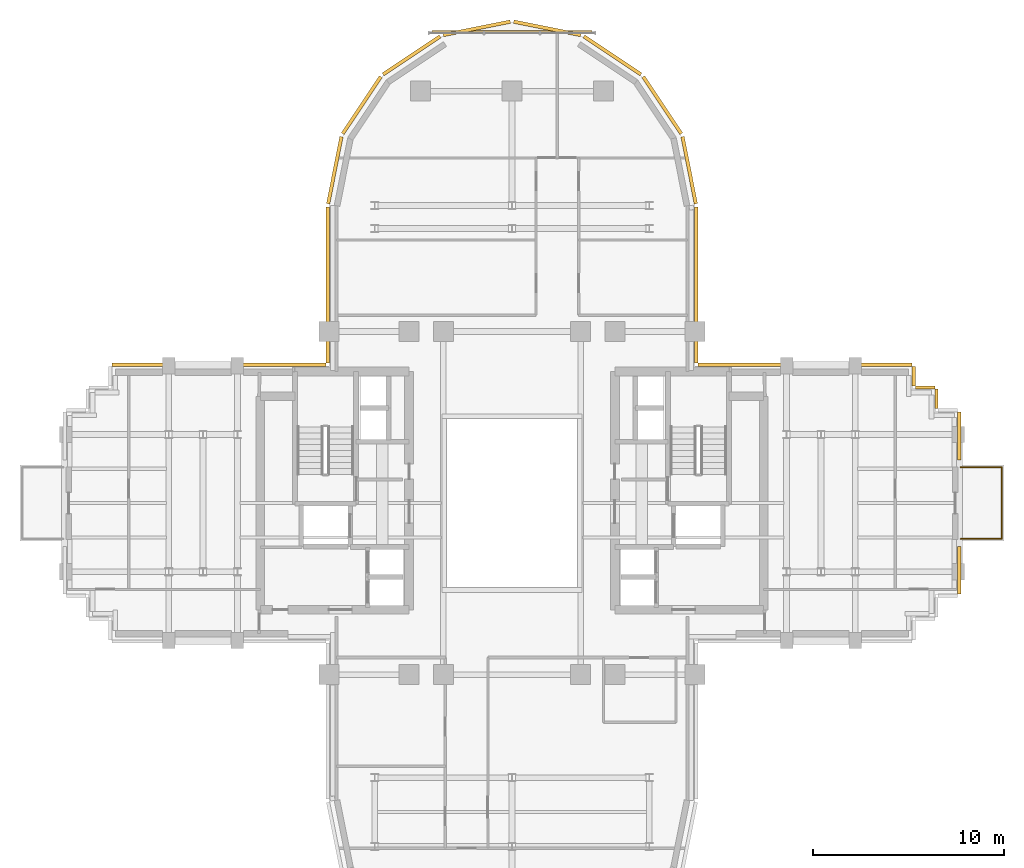
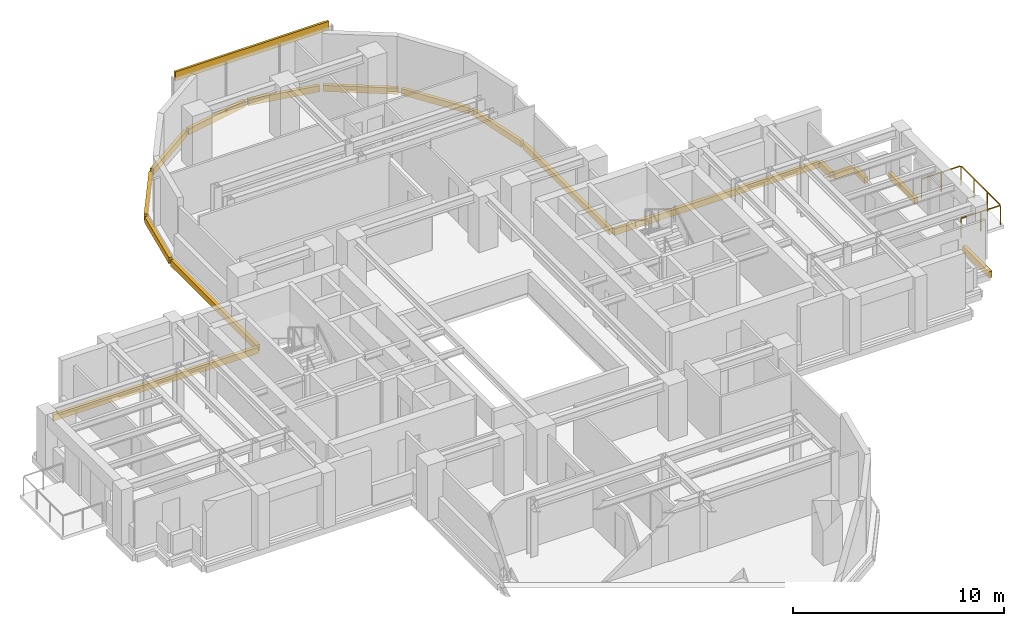
# One storey, part 13 of 13: 18 coverings, 1 railing.
"""IFC4 building model written with IfcOpenShell, lengths in metres."""

from ifc_helpers import new_model, si_unit, direction, frame, origin, origin_2d, place, context, subcontext, project, spatial, rectangle, extrude, source, transform, mapped, material, layer, layer_set, type_object, element, save


model = new_model("IFC4")

# Units and contexts
model_context = context("Model", 3, precision=1e-05, world=origin(), true_north=direction((0.0, 1.0)))
body_context = subcontext(model_context, "Body", "Model", "MODEL_VIEW")
ifc_project = project(units=[si_unit("LENGTHUNIT", "METRE"), si_unit("AREAUNIT", "SQUARE_METRE"), si_unit("VOLUMEUNIT", "CUBIC_METRE"), si_unit("PLANEANGLEUNIT", "RADIAN"), si_unit("MASSUNIT", "GRAM", prefix="KILO")], contexts=[model_context])

# Site, building, storey
site_placement = place(None, origin())
site = spatial("IfcSite", under=ifc_project, at=site_placement, CompositionType="ELEMENT")
building_placement = place(site_placement, origin())
building = spatial("IfcBuilding", under=site, at=building_placement, Name="Keilestroom Media Tower", CompositionType="ELEMENT")
storey_placement = place(building_placement, frame((0.0, 0.0, 107.39990234375)))
storey = spatial("IfcBuildingStorey", under=building, at=storey_placement, Name="L28", CompositionType="ELEMENT", Elevation=107.39990234375)

# Railing
ifc_material_1 = material(Name="Laminated Safety Glass & Stainless Steel", Category="steel")
railing_type = type_object("IfcRailingType", Name="Terrace-And-Atrium-Guard-Balustrade-GD-EXT", PredefinedType="BALUSTRADE", material=ifc_material_1)
railing_placement = place(storey_placement, frame((23.52001953125, -1.8798828125, 0.0)))
element("IfcRailing", 1, at=railing_placement, inside=storey, type_object=railing_type, Name="L28 Terrace Perimeter Guard L28-E", PredefinedType="BALUSTRADE", context=body_context, shape_type="SweptSolid", body=[
    extrude(rectangle(XDim=0.048095703125, YDim=0.048095703125, at=origin_2d()), frame((0.0, 0.0, 1.1259765625), z_axis=(1.0, 0.0, 0.0), x_axis=(0.0, 1.0, 0.0)), (0.0, 0.0, 1.0), 2.11181640625),
    extrude(rectangle(XDim=0.048095703125, YDim=0.048095703125, at=origin_2d()), frame((2.159912109375, 0.048095703125, 1.1259765625), z_axis=(0.0, 1.0, 0.0), x_axis=(-1.0, 0.0, 0.0)), (0.0, 0.0, 1.0), 3.66357421875),
    extrude(rectangle(XDim=0.048095703125, YDim=0.048095703125, at=origin_2d()), frame((2.11181640625, 3.759765625, 1.1259765625), z_axis=(-1.0, 0.0, 0.0), x_axis=(0.0, -1.0, 0.0)), (0.0, 0.0, 1.0), 2.11181640625),
    extrude(rectangle(XDim=0.0419921875, YDim=0.0419921875, at=origin_2d()), origin(), (0.0, 0.0, 1.0), 1.09375),
    extrude(rectangle(XDim=0.0419921875, YDim=0.0419921875, at=origin_2d()), frame((1.080078125, 0.0, 0.0)), (0.0, 0.0, 1.0), 1.09375),
    extrude(rectangle(XDim=0.0419921875, YDim=0.0419921875, at=origin_2d()), frame((2.159912109375, 0.0, 0.0)), (0.0, 0.0, 1.0), 1.09375),
    extrude(rectangle(XDim=0.0419921875, YDim=0.0419921875, at=origin_2d()), frame((2.159912109375, 1.253173828125, 0.0)), (0.0, 0.0, 1.0), 1.09375),
    extrude(rectangle(XDim=0.0419921875, YDim=0.0419921875, at=origin_2d()), frame((2.159912109375, 2.506591796875, 0.0)), (0.0, 0.0, 1.0), 1.09375),
    extrude(rectangle(XDim=0.0419921875, YDim=0.0419921875, at=origin_2d()), frame((2.159912109375, 3.759765625, 0.0)), (0.0, 0.0, 1.0), 1.09375),
    extrude(rectangle(XDim=0.0419921875, YDim=0.0419921875, at=origin_2d()), frame((1.080078125, 3.759765625, 0.0)), (0.0, 0.0, 1.0), 1.09375),
    extrude(rectangle(XDim=0.0419921875, YDim=0.0419921875, at=origin_2d()), frame((0.0, 3.759765625, 0.0)), (0.0, 0.0, 1.0), 1.09375),
])

# Coverings
ifc_material_2 = material(Name="Precast concrete C40/50", Category="concrete")
ifc_layer = layer(ifc_material_2, 0.1201171875)
ifc_layer_set = layer_set([ifc_layer], Name="Precast concrete C40/50")
covering_type = type_object("IfcCoveringType", Name="Exterior-Precast-Spandrel-Cladding-Panel-120", PredefinedType="CLADDING", material=ifc_layer_set)
shared_shape_1 = source(origin(), body_context, "Body", "SweptSolid", [
    extrude(rectangle(XDim=8.39990234375, YDim=0.1201171875, at=origin_2d()), origin(), (0.0, 0.0, 1.0), 0.52001953125),
])
covering_placement = place(storey_placement, frame((0.0, 24.719970703125, 2.690185546875), z_axis=(0.0, 0.0, 1.0), x_axis=(1.0, 0.0, 0.0)))
element("IfcCovering", 2, at=covering_placement, inside=storey, type_object=covering_type, Name="L28 Precast Spandrel Cladding N", PredefinedType="CLADDING", context=body_context, shape_type="MappedRepresentation", body=[
    mapped(shared_shape_1, transform((0.0, 0.0, 0.0), x_axis=(1.0, 0.0, 0.0), y_axis=(0.0, 1.0, 0.0), z_axis=(0.0, 0.0, 1.0), scale=1.0)),
])
shared_shape_2 = source(origin(), body_context, "Body", "SweptSolid", [
    extrude(rectangle(XDim=1.02001953125, YDim=0.179931640625, at=origin_2d()), origin(), (0.0, 0.0, 1.0), 0.360107421875),
])
for number, where, z_axis, x_axis, name in (
    (3, (21.06005859375, 6.659912109375, -0.5400390625), (0.0, 0.0, 1.0), (0.0, -1.0, 0.0), "L28 Precast Slab-Edge Fascia Cornice 39"),
    (4, (21.659912109375, 6.06005859375, -0.5400390625), (0.0, 0.0, 1.0), (1.0, 0.0, 0.0), "L28 Precast Slab-Edge Fascia Cornice 40"),
    (5, (22.260009765625, 5.4599609375, -0.5400390625), (0.0, 0.0, 1.0), (0.0, -1.0, 0.0), "L28 Precast Slab-Edge Fascia Cornice 41"),
):
    element("IfcCovering", number, at=place(storey_placement, frame(where, z_axis=z_axis, x_axis=x_axis)), inside=storey, type_object=covering_type, Name=name, PredefinedType="CLADDING", context=body_context, shape_type="MappedRepresentation", body=[
        mapped(shared_shape_2, transform((0.0, 0.0, 0.0), x_axis=(1.0, 0.0, 0.0), y_axis=(0.0, 1.0, 0.0), z_axis=(0.0, 0.0, 1.0), scale=1.0)),
    ])
shared_shape_3 = source(origin(), body_context, "Body", "SweptSolid", [
    extrude(rectangle(XDim=8.166015625, YDim=0.179931640625, at=origin_2d()), origin(), (0.0, 0.0, 1.0), 0.360107421875),
])
for number, where, z_axis, x_axis, name in (
    (6, (-9.659912109375, 11.43310546875, -0.5400390625), (0.0, 0.0, 1.0), (0.0, 1.0, 0.0), "L28 Precast Slab-Edge Fascia Cornice 28"),
    (7, (9.659912109375, 11.43310546875, -0.5400390625), (0.0, 0.0, 1.0), (0.0, -1.0, 0.0), "L28 Precast Slab-Edge Fascia Cornice 37"),
):
    element("IfcCovering", number, at=place(storey_placement, frame(where, z_axis=z_axis, x_axis=x_axis)), inside=storey, type_object=covering_type, Name=name, PredefinedType="CLADDING", context=body_context, shape_type="MappedRepresentation", body=[
        mapped(shared_shape_3, transform((0.0, 0.0, 0.0), x_axis=(1.0, 0.0, 0.0), y_axis=(0.0, 1.0, 0.0), z_axis=(0.0, 0.0, 1.0), scale=1.0)),
    ])
shared_shape_4 = source(origin(), body_context, "Body", "SweptSolid", [
    extrude(rectangle(XDim=3.58349609375, YDim=0.179931640625, at=origin_2d()), origin(), (0.0, 0.0, 1.0), 0.360107421875),
])
for number, where, z_axis, x_axis, name in (
    (8, (-9.29296875, 17.45166015625, -0.5400390625), (0.0, 0.0, 1.0), (0.195098880975, 0.980783577882, 0.0), "L28 Precast Slab-Edge Fascia Cornice 29"),
    (9, (9.29296875, 17.45166015625, -0.5400390625), (0.0, 0.0, 1.0), (0.195098880975, -0.980783577882, 0.0), "L28 Precast Slab-Edge Fascia Cornice 36"),
):
    element("IfcCovering", number, at=place(storey_placement, frame(where, z_axis=z_axis, x_axis=x_axis)), inside=storey, type_object=covering_type, Name=name, PredefinedType="CLADDING", context=body_context, shape_type="MappedRepresentation", body=[
        mapped(shared_shape_4, transform((0.0, 0.0, 0.0), x_axis=(1.0, 0.0, 0.0), y_axis=(0.0, 1.0, 0.0), z_axis=(0.0, 0.0, 1.0), scale=1.0)),
    ])
shared_shape_5 = source(origin(), body_context, "Body", "SweptSolid", [
    extrude(rectangle(XDim=3.589599609375, YDim=0.179931640625, at=origin_2d()), origin(), (0.0, 0.0, 1.0), 0.360107421875),
])
for number, where, z_axis, x_axis, name in (
    (10, (-7.878662109375, 20.8642578125, -0.5400390625), (0.0, 0.0, 1.0), (0.555574586577, 0.831466703332, 0.0), "L28 Precast Slab-Edge Fascia Cornice 30"),
    (11, (-5.264404296875, 23.478515625, -0.5400390625), (0.0, 0.0, 1.0), (0.831466703332, 0.555574586577, 0.0), "L28 Precast Slab-Edge Fascia Cornice 31"),
    (12, (-1.8486328125, 24.893310546875, -0.5400390625), (0.0, 0.0, 1.0), (0.980783577882, 0.195098880975, 0.0), "L28 Precast Slab-Edge Fascia Cornice 32"),
    (13, (1.8486328125, 24.893310546875, -0.5400390625), (0.0, 0.0, 1.0), (0.980783577882, -0.195098880975, 0.0), "L28 Precast Slab-Edge Fascia Cornice 33"),
    (14, (5.264404296875, 23.478515625, -0.5400390625), (0.0, 0.0, 1.0), (0.831466703332, -0.555574586577, 0.0), "L28 Precast Slab-Edge Fascia Cornice 34"),
    (15, (7.878662109375, 20.8642578125, -0.5400390625), (0.0, 0.0, 1.0), (0.555574586577, -0.831466703332, 0.0), "L28 Precast Slab-Edge Fascia Cornice 35"),
):
    element("IfcCovering", number, at=place(storey_placement, frame(where, z_axis=z_axis, x_axis=x_axis)), inside=storey, type_object=covering_type, Name=name, PredefinedType="CLADDING", context=body_context, shape_type="MappedRepresentation", body=[
        mapped(shared_shape_5, transform((0.0, 0.0, 0.0), x_axis=(1.0, 0.0, 0.0), y_axis=(0.0, 1.0, 0.0), z_axis=(0.0, 0.0, 1.0), scale=1.0)),
    ])
shared_shape_6 = source(origin(), body_context, "Body", "SweptSolid", [
    extrude(rectangle(XDim=2.5, YDim=0.179931640625, at=origin_2d()), origin(), (0.0, 0.0, 1.0), 0.360107421875),
])
for number, where, z_axis, x_axis, name in (
    (16, (23.4599609375, 3.52001953125, -0.5400390625), (0.0, 0.0, 1.0), (0.0, -1.0, 0.0), "L28 Precast Slab-Edge Fascia Cornice 43"),
    (17, (23.4599609375, -3.52001953125, -0.5400390625), (0.0, 0.0, 1.0), (0.0, -1.0, 0.0), "L28 Precast Slab-Edge Fascia Cornice 44"),
):
    element("IfcCovering", number, at=place(storey_placement, frame(where, z_axis=z_axis, x_axis=x_axis)), inside=storey, type_object=covering_type, Name=name, PredefinedType="CLADDING", context=body_context, shape_type="MappedRepresentation", body=[
        mapped(shared_shape_6, transform((0.0, 0.0, 0.0), x_axis=(1.0, 0.0, 0.0), y_axis=(0.0, 1.0, 0.0), z_axis=(0.0, 0.0, 1.0), scale=1.0)),
    ])
shared_shape_7 = source(origin(), body_context, "Body", "SweptSolid", [
    extrude(rectangle(XDim=11.219970703125, YDim=0.179931640625, at=origin_2d()), origin(), (0.0, 0.0, 1.0), 0.360107421875),
])
for number, where, z_axis, x_axis, name in (
    (18, (-15.360107421875, 7.260009765625, -0.5400390625), (0.0, 0.0, 1.0), (1.0, 0.0, 0.0), "L28 Precast Slab-Edge Fascia Cornice 27"),
    (19, (15.360107421875, 7.260009765625, -0.5400390625), (0.0, 0.0, 1.0), (1.0, 0.0, 0.0), "L28 Precast Slab-Edge Fascia Cornice 38"),
):
    element("IfcCovering", number, at=place(storey_placement, frame(where, z_axis=z_axis, x_axis=x_axis)), inside=storey, type_object=covering_type, Name=name, PredefinedType="CLADDING", context=body_context, shape_type="MappedRepresentation", body=[
        mapped(shared_shape_7, transform((0.0, 0.0, 0.0), x_axis=(1.0, 0.0, 0.0), y_axis=(0.0, 1.0, 0.0), z_axis=(0.0, 0.0, 1.0), scale=1.0)),
    ])

save(model, "model.ifc")
